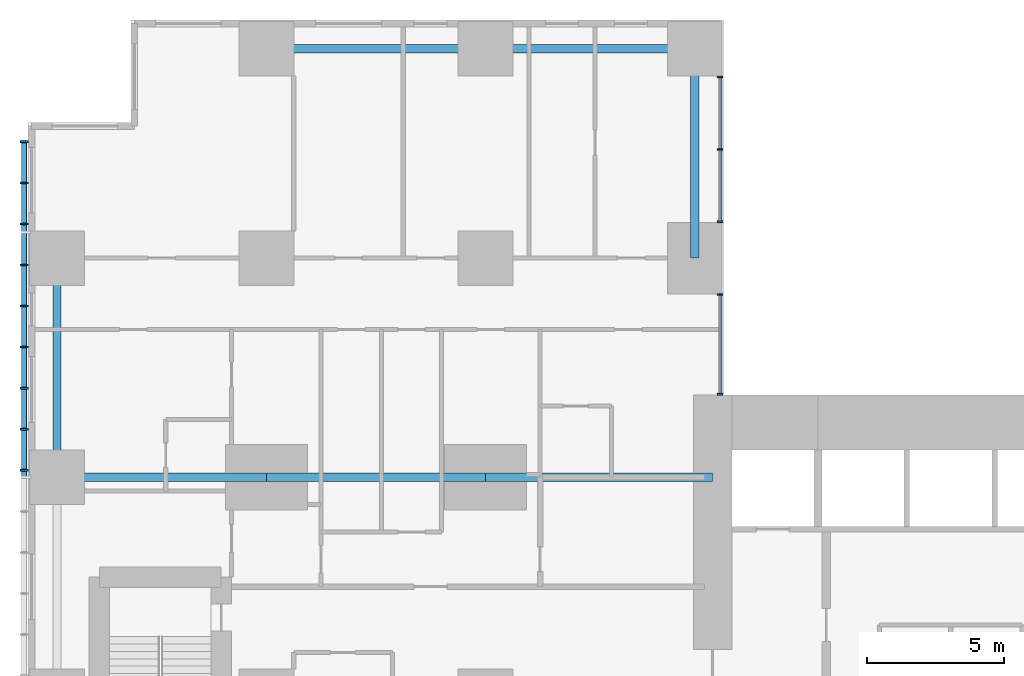
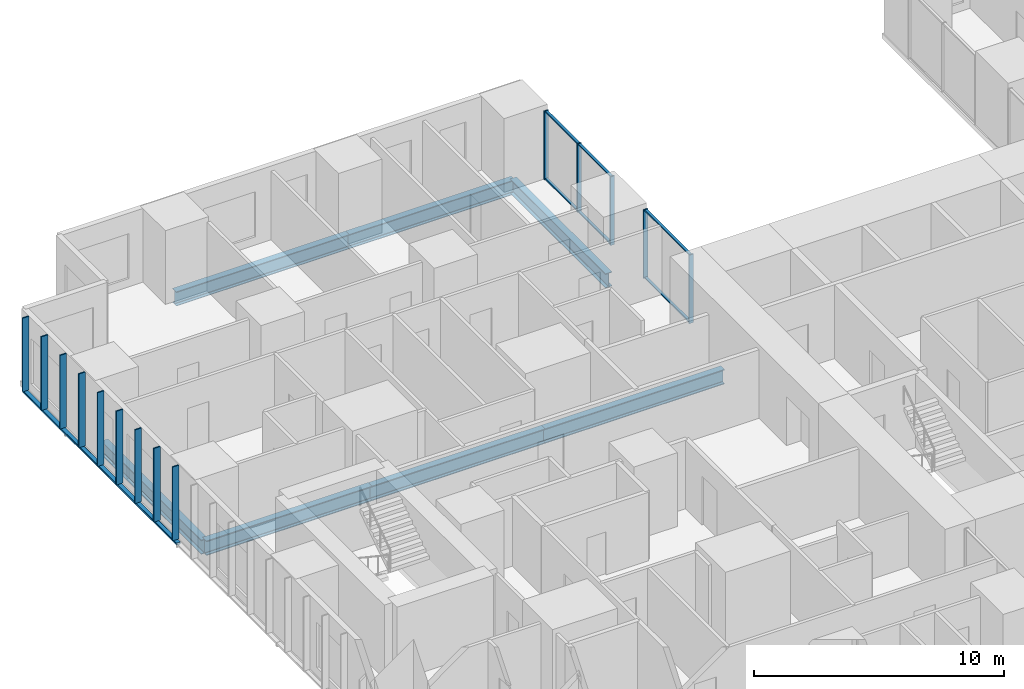
# One storey, part 4 of 20: 21 members, 7 beams, 2 elements without a shape of their own.
"""IFC4 building model written with IfcOpenShell, lengths in metres."""

import ifcopenshell
import ifcopenshell.guid

model = None  # the IFC model being written
_history = None  # IfcOwnerHistory: only IFC2X3 demands one
_inside = {}  # id of a spatial element -> (the spatial element, [elements in it])
_under = {}  # id of a project, library or spatial element -> (it, [spatial elements below it])
_declared = {}  # id of a project -> (the project, [libraries it declares])
_typed = {}  # id of a type object -> (the type object, [elements of that type])
_made_of = {}  # id of a material, layer set ... -> (it, [elements and type objects made of it])


def new_model(schema):
    """Start an empty IFC model of exactly this schema.

    Asked for "IFC4X3", IfcOpenShell would pick the latest addendum, in which some entities
    have other attributes; the version numbers below select the first issue.
    IFC2X3 requires an IfcOwnerHistory on every rooted entity: one is made here for all.
    """
    global model, _history
    if schema == "IFC4X3":
        model = ifcopenshell.file(schema_version=(4, 3, 0, 0))
    else:
        model = ifcopenshell.file(schema=schema)
    _inside.clear()
    _under.clear()
    _declared.clear()
    _typed.clear()
    _made_of.clear()
    _history = None
    if model.schema == "IFC2X3":
        org = make("IfcOrganization", Name="unknown")
        user = make(
            "IfcPersonAndOrganization",
            ThePerson=make("IfcPerson", FamilyName="unknown"),
            TheOrganization=org,
        )
        app = make(
            "IfcApplication",
            ApplicationDeveloper=org,
            Version="unknown",
            ApplicationFullName="unknown",
            ApplicationIdentifier="unknown",
        )
        _history = make(
            "IfcOwnerHistory",
            OwningUser=user,
            OwningApplication=app,
            ChangeAction="ADDED",
            CreationDate=0,
        )
    return model


def make(cls, **values):
    """One entity of the class cls with the attributes given. An attribute that is None is left unset."""
    return model.create_entity(
        cls, **{name: value for name, value in values.items() if value is not None}
    )


def rooted(cls, **values):
    """An entity with a GlobalId (a new one), such as an element, a storey or a relation."""
    return make(cls, GlobalId=ifcopenshell.guid.new(), OwnerHistory=_history, **values)


def si_unit(unit_type, name, prefix=None):
    """IfcSIUnit, for example si_unit("LENGTHUNIT", "METRE", prefix="MILLI")."""
    return make("IfcSIUnit", UnitType=unit_type, Prefix=prefix, Name=name)


def assignment(units):
    """IfcUnitAssignment: the units of a project."""
    return None if units is None else make("IfcUnitAssignment", Units=units)


def point(xyz):
    """IfcCartesianPoint."""
    return None if xyz is None else make("IfcCartesianPoint", Coordinates=xyz)


def direction(xyz):
    """IfcDirection."""
    return None if xyz is None else make("IfcDirection", DirectionRatios=xyz)


def frame(location, z_axis=None, x_axis=None):
    """IfcAxis2Placement3D, a coordinate frame: its origin and axes. An axis left out is left unset."""
    return make(
        "IfcAxis2Placement3D",
        Location=point(location),
        Axis=direction(z_axis),
        RefDirection=direction(x_axis),
    )


def frame_2d(location, x_axis=None):
    """IfcAxis2Placement2D, a coordinate frame in the plane: its origin and x axis."""
    return make(
        "IfcAxis2Placement2D", Location=point(location), RefDirection=direction(x_axis)
    )


def origin():
    """The frame at (0, 0, 0) with its axes left unset."""
    return frame((0.0, 0.0, 0.0))


def origin_2d():
    """The frame at (0, 0) in the plane with its x axis left unset."""
    return frame_2d((0.0, 0.0))


def place(relative_to, where):
    """IfcLocalPlacement: puts the frame where relative to a parent placement (None: the world)."""
    return make(
        "IfcLocalPlacement", PlacementRelTo=relative_to, RelativePlacement=where
    )


def context(
    kind, dimensions, precision=None, world=None, true_north=None, identifier=None
):
    """IfcGeometricRepresentationContext, for example the 3D "Model" context."""
    return make(
        "IfcGeometricRepresentationContext",
        ContextIdentifier=identifier,
        ContextType=kind,
        CoordinateSpaceDimension=dimensions,
        Precision=precision,
        WorldCoordinateSystem=world,
        TrueNorth=true_north,
    )


def subcontext(parent, identifier, kind, view, scale=None):
    """IfcGeometricRepresentationSubContext, for example "Body" below "Model"."""
    return make(
        "IfcGeometricRepresentationSubContext",
        ContextIdentifier=identifier,
        ContextType=kind,
        ParentContext=parent,
        TargetScale=scale,
        TargetView=view,
    )


def project(units=None, contexts=None):
    """IfcProject with its units and contexts."""
    return rooted(
        "IfcProject",
        Name="project",
        RepresentationContexts=contexts,
        UnitsInContext=assignment(units),
    )


def spatial(cls, under=None, at=None, **own):
    """A site, building, storey or space (cls), placed at a placement, below another one or the project."""
    s = rooted(cls, ObjectPlacement=at, **own)
    if under is not None:
        _under.setdefault(under.id(), (under, []))[1].append(s)
    return s


def profile(cls, at=None, kind="AREA", **sizes):
    """A parametric profile (cls). Its sizes go by their IFC names, for example OverallWidth=200.0."""
    return make(cls, ProfileType=kind, Position=at, **sizes)


def rectangle(**sizes):
    """IfcRectangleProfileDef."""
    return profile("IfcRectangleProfileDef", **sizes)


def hollow_rectangle(**sizes):
    """IfcRectangleHollowProfileDef."""
    return profile("IfcRectangleHollowProfileDef", **sizes)


def i_section(**sizes):
    """IfcIShapeProfileDef."""
    return profile("IfcIShapeProfileDef", **sizes)


def extrude(swept, where, along, depth):
    """IfcExtrudedAreaSolid: the profile swept, set in the frame where, extruded along a direction by depth."""
    return make(
        "IfcExtrudedAreaSolid",
        SweptArea=swept,
        Position=where,
        ExtrudedDirection=direction(along),
        Depth=depth,
    )


def shape(context_of_items, identifier, shape_type, items):
    """IfcShapeRepresentation: the items that make up one representation, for example the "Body"."""
    return make(
        "IfcShapeRepresentation",
        ContextOfItems=context_of_items,
        RepresentationIdentifier=identifier,
        RepresentationType=shape_type,
        Items=items,
    )


def material(Name=None, Category=None):
    """IfcMaterial."""
    return make("IfcMaterial", Name=Name, Category=Category)


def layer(
    of_material, thickness, ventilated=None, Name=None, Category=None, Priority=None
):
    """IfcMaterialLayer: one layer of a wall or slab, of a material (None: an air gap)."""
    return make(
        "IfcMaterialLayer",
        Material=of_material,
        LayerThickness=thickness,
        IsVentilated=ventilated,
        Name=Name,
        Category=Category,
        Priority=Priority,
    )


def layer_set(layers, Name=None):
    """IfcMaterialLayerSet."""
    return make("IfcMaterialLayerSet", MaterialLayers=layers, LayerSetName=Name)


def material_profile(
    of_material, cross_section, Name=None, Category=None, Priority=None
):
    """IfcMaterialProfile: a cross section and its material."""
    return make(
        "IfcMaterialProfile",
        Name=Name,
        Material=of_material,
        Profile=cross_section,
        Priority=Priority,
        Category=Category,
    )


def profile_set(profiles, Name=None, composite=None):
    """IfcMaterialProfileSet."""
    return make(
        "IfcMaterialProfileSet",
        Name=Name,
        MaterialProfiles=profiles,
        CompositeProfile=composite,
    )


def made_of(thing, what):
    """Note that an element or type object is made of a material, layer set ...; save() writes the relation."""
    if what is not None:
        _made_of.setdefault(what.id(), (what, []))[1].append(thing)
    return thing


def type_object(cls, material=None, **own):
    """A type object (cls), such as IfcWallType, which elements share."""
    return made_of(rooted(cls, **own), material)


def element(
    cls,
    number,
    at=None,
    inside=None,
    cuts=None,
    type_object=None,
    material=None,
    context=None,
    identifier="Body",
    shape_type=None,
    held_by="IfcProductDefinitionShape",
    body=None,
    shapes=None,
    **own,
):
    """One element of the class cls, such as IfcWall. Its Tag is "e" and its number.

    at: its placement. inside: the storey or other place that contains it. cuts: it is an
    opening in that element (IfcRelVoidsElement). A single representation is given by context,
    identifier, shape_type and body (its items); several are given by shapes. held_by: the class
    of the entity that holds the representations. save() writes the other relations.
    """
    e = rooted(cls, Tag="e%d" % number, ObjectPlacement=at, **own)
    if body is not None:
        shapes = [shape(context, identifier, shape_type, body)]
    if shapes is not None:
        e.Representation = make(held_by, Representations=shapes)
    if inside is not None:
        _inside.setdefault(inside.id(), (inside, []))[1].append(e)
    if cuts is not None:
        rooted(
            "IfcRelVoidsElement", RelatingBuildingElement=cuts, RelatedOpeningElement=e
        )
    if type_object is not None:
        _typed.setdefault(type_object.id(), (type_object, []))[1].append(e)
    return made_of(e, material)


def aggregate(whole, parts):
    """IfcRelAggregates: a whole, such as a stair, and the parts it consists of."""
    return rooted("IfcRelAggregates", RelatingObject=whole, RelatedObjects=parts)


def save(model, path):
    """Write the relations noted so far, then the file.

    IfcRelAggregates (storeys below a building ...), IfcRelContainedInSpatialStructure (elements
    in a storey), IfcRelDefinesByType, IfcRelAssociatesMaterial and IfcRelDeclares: one each for
    every whole, place, type object, material and project.
    """
    for whole, parts in _under.values():
        aggregate(whole, parts)
    for where, things in _inside.values():
        rooted(
            "IfcRelContainedInSpatialStructure",
            RelatedElements=things,
            RelatingStructure=where,
        )
    for kind, things in _typed.values():
        rooted("IfcRelDefinesByType", RelatedObjects=things, RelatingType=kind)
    for what, things in _made_of.values():
        rooted("IfcRelAssociatesMaterial", RelatedObjects=things, RelatingMaterial=what)
    for by, libraries in _declared.values():
        rooted("IfcRelDeclares", RelatingContext=by, RelatedDefinitions=libraries)
    model.write(path)


model = new_model("IFC4")

# Units and contexts
model_context = context("Model", 3, precision=1e-05, world=origin(), true_north=direction((0.0, 1.0)))
body_context = subcontext(model_context, "Body", "Model", "MODEL_VIEW")
ifc_project = project(units=[si_unit("LENGTHUNIT", "METRE"), si_unit("AREAUNIT", "SQUARE_METRE"), si_unit("VOLUMEUNIT", "CUBIC_METRE"), si_unit("PLANEANGLEUNIT", "RADIAN"), si_unit("MASSUNIT", "GRAM", prefix="KILO")], contexts=[model_context])

# Site, building, storey
site_placement = place(None, origin())
site = spatial("IfcSite", under=ifc_project, at=site_placement, CompositionType="ELEMENT")
building_placement = place(site_placement, origin())
building = spatial("IfcBuilding", under=site, at=building_placement, Name="Cleftline Residences", CompositionType="ELEMENT")
storey_placement = place(building_placement, frame((0.0, 0.0, 153.800048828125)))
storey = spatial("IfcBuildingStorey", under=building, at=storey_placement, Name="L40", CompositionType="ELEMENT", Elevation=153.800048828125)

# Member
ifc_material_1 = material(Name="Steel S355, hot-dip galvanised", Category="steel")
ifc_material_profile_1 = material_profile(ifc_material_1, hollow_rectangle(XDim=0.10009765625, YDim=0.199951171875, WallThickness=0.008056640625, InnerFilletRadius=0.008056640625, OuterFilletRadius=0.011962890625, at=origin_2d()))
ifc_profile_set_1 = profile_set([ifc_material_profile_1], Name="Steel S355, hot-dip galvanised")
member_type_1 = type_object("IfcMemberType", Name="BAGUETTE CARRIER RHS 200X100X8", PredefinedType="USERDEFINED", material=ifc_profile_set_1)
member_1_placement = place(storey_placement, frame((-0.85009765625, 44.300048828125, -0.050048828125), z_axis=(0.0, -1.0, 0.0), x_axis=(0.0, 0.0, 1.0)))
element("IfcMember", 1, at=member_1_placement, inside=storey, type_object=member_type_1, Name="Baguette carrier", ObjectType="BAGUETTE CARRIER", PredefinedType="USERDEFINED", context=body_context, shape_type="SweptSolid", body=[
    extrude(hollow_rectangle(XDim=0.10009765625, YDim=0.199951171875, WallThickness=0.008056640625, InnerFilletRadius=0.008056640625, OuterFilletRadius=0.011962890625, at=origin_2d()), origin(), (0.0, 0.0, 1.0), 12.300048828125),
])

# Beams
ifc_material_2 = material(Name="Steel S355", Category="steel")
ifc_material_profile_2 = material_profile(ifc_material_2, i_section(OverallWidth=0.300048828125, OverallDepth=0.699951171875, WebThickness=0.01708984375, FlangeThickness=0.031982421875, FilletRadius=0.027099609375, at=origin_2d()))
ifc_profile_set_2 = profile_set([ifc_material_profile_2], Name="Steel S355")
beam_type_1 = type_object("IfcBeamType", Name="BEAM HEB 700", PredefinedType="BEAM", material=ifc_profile_set_2)
for number, where, z_axis, x_axis, name in (
    (2, (0.35009765625, 32.0, -0.60009765625), (0.0, 1.0, 0.0), (-1.0, 0.0, 0.0), "Edge beam"),
    (3, (8.0, 47.64990234375, -0.60009765625), (1.0, 0.0, 0.0), (0.0, 1.0, 0.0), "Edge beam"),
):
    element("IfcBeam", number, at=place(storey_placement, frame(where, z_axis=z_axis, x_axis=x_axis)), inside=storey, type_object=beam_type_1, Name=name, PredefinedType="BEAM", context=body_context, shape_type="SweptSolid", body=[
        extrude(i_section(OverallWidth=0.300048828125, OverallDepth=0.699951171875, WebThickness=0.01708984375, FlangeThickness=0.031982421875, FilletRadius=0.027099609375, at=origin_2d()), origin(), (0.0, 0.0, 1.0), 8.0),
    ])
for number, where, z_axis, x_axis, name in (
    (4, (16.0, 47.64990234375, -0.60009765625), (1.0, 0.0, 0.0), (0.0, 1.0, 0.0), "Edge beam"),
    (5, (23.64990234375, 47.64990234375, -0.60009765625), (0.0, -1.0, 0.0), (1.0, 0.0, 0.0), "Edge beam"),
):
    element("IfcBeam", number, at=place(storey_placement, frame(where, z_axis=z_axis, x_axis=x_axis)), inside=storey, type_object=beam_type_1, Name=name, PredefinedType="BEAM", context=body_context, shape_type="SweptSolid", body=[
        extrude(i_section(OverallWidth=0.300048828125, OverallDepth=0.699951171875, WebThickness=0.01708984375, FlangeThickness=0.031982421875, FilletRadius=0.027099609375, at=origin_2d()), origin(), (0.0, 0.0, 1.0), 7.64990234375),
    ])
ifc_material_3 = material(Name="Steel S355", Category="steel")
ifc_material_profile_3 = material_profile(ifc_material_3, i_section(OverallWidth=0.303955078125, OverallDepth=0.716064453125, WebThickness=0.02099609375, FlangeThickness=0.0400390625, FilletRadius=0.027099609375, at=origin_2d()))
ifc_profile_set_3 = profile_set([ifc_material_profile_3], Name="Steel S355")
beam_type_2 = type_object("IfcBeamType", Name="BEAM HEM 700", PredefinedType="BEAM", material=ifc_profile_set_3)
beam_1_placement = place(storey_placement, frame((0.35009765625, 32.0, -0.608154296875), z_axis=(1.0, 0.0, 0.0), x_axis=(0.0, 1.0, 0.0)))
element("IfcBeam", 6, at=beam_1_placement, inside=storey, type_object=beam_type_2, Name="Band beam", PredefinedType="BEAM", context=body_context, shape_type="SweptSolid", body=[
    extrude(i_section(OverallWidth=0.303955078125, OverallDepth=0.716064453125, WebThickness=0.02099609375, FlangeThickness=0.0400390625, FilletRadius=0.027099609375, at=origin_2d()), origin(), (0.0, 0.0, 1.0), 7.64990234375),
])
beam_2_placement = place(storey_placement, frame((8.0, 32.0, -0.608154296875), z_axis=(1.0, 0.0, 0.0), x_axis=(0.0, 1.0, 0.0)))
element("IfcBeam", 7, at=beam_2_placement, inside=storey, type_object=beam_type_2, Name="Band beam", PredefinedType="BEAM", context=body_context, shape_type="SweptSolid", body=[
    extrude(i_section(OverallWidth=0.303955078125, OverallDepth=0.716064453125, WebThickness=0.02099609375, FlangeThickness=0.0400390625, FilletRadius=0.027099609375, at=origin_2d()), origin(), (0.0, 0.0, 1.0), 8.0),
])
beam_3_placement = place(storey_placement, frame((16.0, 32.0, -0.608154296875), z_axis=(1.0, 0.0, 0.0), x_axis=(0.0, 1.0, 0.0)))
element("IfcBeam", 8, at=beam_3_placement, inside=storey, type_object=beam_type_2, Name="Band beam", PredefinedType="BEAM", context=body_context, shape_type="SweptSolid", body=[
    extrude(i_section(OverallWidth=0.303955078125, OverallDepth=0.716064453125, WebThickness=0.02099609375, FlangeThickness=0.0400390625, FilletRadius=0.027099609375, at=origin_2d()), origin(), (0.0, 0.0, 1.0), 8.300048828125),
])

# Curtain wall, members
ifc_material_4 = material(Name="Aluminium framed curtain wall", Category="aluminium")
ifc_layer = layer(ifc_material_4, 0.199951171875)
ifc_layer_set = layer_set([ifc_layer], Name="CW1 CLEFT GLAZING")
curtain_wall_type = type_object("IfcCurtainWallType", Name="CW1 CLEFT GLAZING", PredefinedType="NOTDEFINED", material=ifc_layer_set)
curtain_wall_1_placement = place(storey_placement, origin())
curtain_wall_1 = element("IfcCurtainWall", 9, at=curtain_wall_1_placement, inside=storey, type_object=curtain_wall_type, Name="Curtain wall CW1", PredefinedType="NOTDEFINED")
ifc_material_5 = material(Name="Aluminium mullion", Category="aluminium")
ifc_material_profile_4 = material_profile(ifc_material_5, rectangle(XDim=0.199951171875, YDim=0.06005859375, at=origin_2d()))
ifc_profile_set_4 = profile_set([ifc_material_profile_4], Name="Aluminium mullion")
member_type_2 = type_object("IfcMemberType", Name="CW1 MULLION", PredefinedType="MULLION", material=ifc_profile_set_4)
member_2_placement = place(storey_placement, frame((24.574951171875, 35.030029296875, 0.0), z_axis=(0.0, 0.0, 1.0), x_axis=(-1.0, 0.0, 0.0)))
member_2 = element("IfcMember", 10, at=member_2_placement, type_object=member_type_2, Name="CW1 mullion 1", PredefinedType="MULLION", context=body_context, shape_type="SweptSolid", body=[
    extrude(rectangle(XDim=0.199951171875, YDim=0.06005859375, at=origin_2d()), origin(), (0.0, 0.0, 1.0), 3.349853515625),
])
member_3_placement = place(storey_placement, frame((24.574951171875, 38.669921875, 0.0), z_axis=(0.0, 0.0, 1.0), x_axis=(-1.0, 0.0, 0.0)))
member_3 = element("IfcMember", 11, at=member_3_placement, type_object=member_type_2, Name="CW1 mullion 2", PredefinedType="MULLION", context=body_context, shape_type="SweptSolid", body=[
    extrude(rectangle(XDim=0.199951171875, YDim=0.06005859375, at=origin_2d()), origin(), (0.0, 0.0, 1.0), 3.349853515625),
])

curtain_wall_2_placement = place(storey_placement, origin())
curtain_wall_2 = element("IfcCurtainWall", 12, at=curtain_wall_2_placement, inside=storey, type_object=curtain_wall_type, Name="Curtain wall CW1", PredefinedType="NOTDEFINED")
member_4_placement = place(storey_placement, frame((24.574951171875, 41.330078125, 0.0), z_axis=(0.0, 0.0, 1.0), x_axis=(-1.0, 0.0, 0.0)))
member_4 = element("IfcMember", 13, at=member_4_placement, type_object=member_type_2, Name="CW1 mullion 1", PredefinedType="MULLION", context=body_context, shape_type="SweptSolid", body=[
    extrude(rectangle(XDim=0.199951171875, YDim=0.06005859375, at=origin_2d()), origin(), (0.0, 0.0, 1.0), 3.349853515625),
])
member_5_placement = place(storey_placement, frame((24.574951171875, 43.97509765625, 0.0), z_axis=(0.0, 0.0, 1.0), x_axis=(-1.0, 0.0, 0.0)))
member_5 = element("IfcMember", 14, at=member_5_placement, type_object=member_type_2, Name="CW1 mullion 2", PredefinedType="MULLION", context=body_context, shape_type="SweptSolid", body=[
    extrude(rectangle(XDim=0.199951171875, YDim=0.06005859375, at=origin_2d()), origin(), (0.0, 0.0, 1.0), 3.349853515625),
])
member_6_placement = place(storey_placement, frame((24.574951171875, 46.6201171875, 0.0), z_axis=(0.0, 0.0, 1.0), x_axis=(-1.0, 0.0, 0.0)))
member_6 = element("IfcMember", 15, at=member_6_placement, type_object=member_type_2, Name="CW1 mullion 3", PredefinedType="MULLION", context=body_context, shape_type="SweptSolid", body=[
    extrude(rectangle(XDim=0.199951171875, YDim=0.06005859375, at=origin_2d()), origin(), (0.0, 0.0, 1.0), 3.349853515625),
])

# Member
ifc_material_6 = material(Name="Aluminium transom", Category="aluminium")
ifc_material_profile_5 = material_profile(ifc_material_6, rectangle(XDim=0.1201171875, YDim=0.06005859375, at=origin_2d()))
ifc_profile_set_5 = profile_set([ifc_material_profile_5], Name="Aluminium transom")
member_type_3 = type_object("IfcMemberType", Name="CW1 TRANSOM", PredefinedType="USERDEFINED", material=ifc_profile_set_5)
member_7_placement = place(storey_placement, frame((24.574951171875, 35.06005859375, 0.030029296875), z_axis=(0.0, 1.0, 0.0), x_axis=(-1.0, 0.0, 0.0)))
member_7 = element("IfcMember", 16, at=member_7_placement, type_object=member_type_3, Name="CW1 transom 1.1", ObjectType="TRANSOM", PredefinedType="USERDEFINED", context=body_context, shape_type="SweptSolid", body=[
    extrude(rectangle(XDim=0.1201171875, YDim=0.06005859375, at=origin_2d()), origin(), (0.0, 0.0, 1.0), 3.579833984375),
])

member_8_placement = place(storey_placement, frame((24.574951171875, 35.06005859375, 3.320068359375), z_axis=(0.0, 1.0, 0.0), x_axis=(-1.0, 0.0, 0.0)))
member_8 = element("IfcMember", 17, at=member_8_placement, type_object=member_type_3, Name="CW1 transom 1.2", ObjectType="TRANSOM", PredefinedType="USERDEFINED", context=body_context, shape_type="SweptSolid", body=[
    extrude(rectangle(XDim=0.1201171875, YDim=0.06005859375, at=origin_2d()), origin(), (0.0, 0.0, 1.0), 3.579833984375),
])

aggregate(curtain_wall_1, [member_2, member_3, member_7, member_8])

member_9_placement = place(storey_placement, frame((24.574951171875, 41.360107421875, 0.030029296875), z_axis=(0.0, 1.0, 0.0), x_axis=(-1.0, 0.0, 0.0)))
member_9 = element("IfcMember", 18, at=member_9_placement, type_object=member_type_3, Name="CW1 transom 1.1", ObjectType="TRANSOM", PredefinedType="USERDEFINED", context=body_context, shape_type="SweptSolid", body=[
    extrude(rectangle(XDim=0.1201171875, YDim=0.06005859375, at=origin_2d()), origin(), (0.0, 0.0, 1.0), 2.5849609375),
])

member_10_placement = place(storey_placement, frame((24.574951171875, 41.360107421875, 3.320068359375), z_axis=(0.0, 1.0, 0.0), x_axis=(-1.0, 0.0, 0.0)))
member_10 = element("IfcMember", 19, at=member_10_placement, type_object=member_type_3, Name="CW1 transom 1.2", ObjectType="TRANSOM", PredefinedType="USERDEFINED", context=body_context, shape_type="SweptSolid", body=[
    extrude(rectangle(XDim=0.1201171875, YDim=0.06005859375, at=origin_2d()), origin(), (0.0, 0.0, 1.0), 2.5849609375),
])

member_11_placement = place(storey_placement, frame((24.574951171875, 44.0048828125, 0.030029296875), z_axis=(0.0, 1.0, 0.0), x_axis=(-1.0, 0.0, 0.0)))
member_11 = element("IfcMember", 20, at=member_11_placement, type_object=member_type_3, Name="CW1 transom 2.1", ObjectType="TRANSOM", PredefinedType="USERDEFINED", context=body_context, shape_type="SweptSolid", body=[
    extrude(rectangle(XDim=0.1201171875, YDim=0.06005859375, at=origin_2d()), origin(), (0.0, 0.0, 1.0), 2.585205078125),
])

member_12_placement = place(storey_placement, frame((24.574951171875, 44.0048828125, 3.320068359375), z_axis=(0.0, 1.0, 0.0), x_axis=(-1.0, 0.0, 0.0)))
member_12 = element("IfcMember", 21, at=member_12_placement, type_object=member_type_3, Name="CW1 transom 2.2", ObjectType="TRANSOM", PredefinedType="USERDEFINED", context=body_context, shape_type="SweptSolid", body=[
    extrude(rectangle(XDim=0.1201171875, YDim=0.06005859375, at=origin_2d()), origin(), (0.0, 0.0, 1.0), 2.585205078125),
])

aggregate(curtain_wall_2, [member_4, member_5, member_6, member_9, member_10, member_11, member_12])

# Members
ifc_material_7 = material(Name="Extruded terracotta", Category="masonry")
ifc_material_profile_6 = material_profile(ifc_material_7, rectangle(XDim=0.06005859375, YDim=0.300048828125, at=origin_2d()))
ifc_profile_set_6 = profile_set([ifc_material_profile_6], Name="Extruded terracotta")
member_type_4 = type_object("IfcMemberType", Name="TERRACOTTA BAGUETTE 60X300", PredefinedType="USERDEFINED", material=ifc_profile_set_6)
for number, where, z_axis, x_axis, name in (
    (22, (-0.85009765625, 44.25, 0.0), (0.0, 0.0, 1.0), (0.0, 1.0, 0.0), "Terracotta baguette"),
    (23, (-0.85009765625, 42.75, 0.0), (0.0, 0.0, 1.0), (0.0, 1.0, 0.0), "Terracotta baguette"),
    (24, (-0.85009765625, 41.25, 0.0), (0.0, 0.0, 1.0), (0.0, 1.0, 0.0), "Terracotta baguette"),
    (25, (-0.85009765625, 39.75, 0.0), (0.0, 0.0, 1.0), (0.0, 1.0, 0.0), "Terracotta baguette"),
    (26, (-0.85009765625, 38.25, 0.0), (0.0, 0.0, 1.0), (0.0, 1.0, 0.0), "Terracotta baguette"),
    (27, (-0.85009765625, 36.75, 0.0), (0.0, 0.0, 1.0), (0.0, 1.0, 0.0), "Terracotta baguette"),
    (28, (-0.85009765625, 35.25, 0.0), (0.0, 0.0, 1.0), (0.0, 1.0, 0.0), "Terracotta baguette"),
    (29, (-0.85009765625, 33.75, 0.0), (0.0, 0.0, 1.0), (0.0, 1.0, 0.0), "Terracotta baguette"),
    (30, (-0.85009765625, 32.25, 0.0), (0.0, 0.0, 1.0), (0.0, 1.0, 0.0), "Terracotta baguette"),
):
    element("IfcMember", number, at=place(storey_placement, frame(where, z_axis=z_axis, x_axis=x_axis)), inside=storey, type_object=member_type_4, Name=name, ObjectType="BAGUETTE", PredefinedType="USERDEFINED", context=body_context, shape_type="SweptSolid", body=[
        extrude(rectangle(XDim=0.06005859375, YDim=0.300048828125, at=origin_2d()), origin(), (0.0, 0.0, 1.0), 3.599853515625),
    ])

save(model, "model.ifc")
